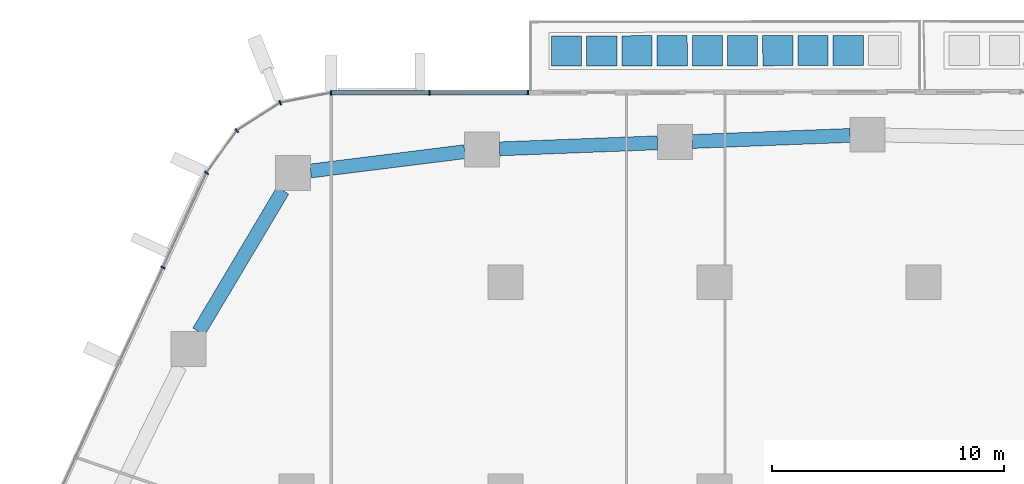
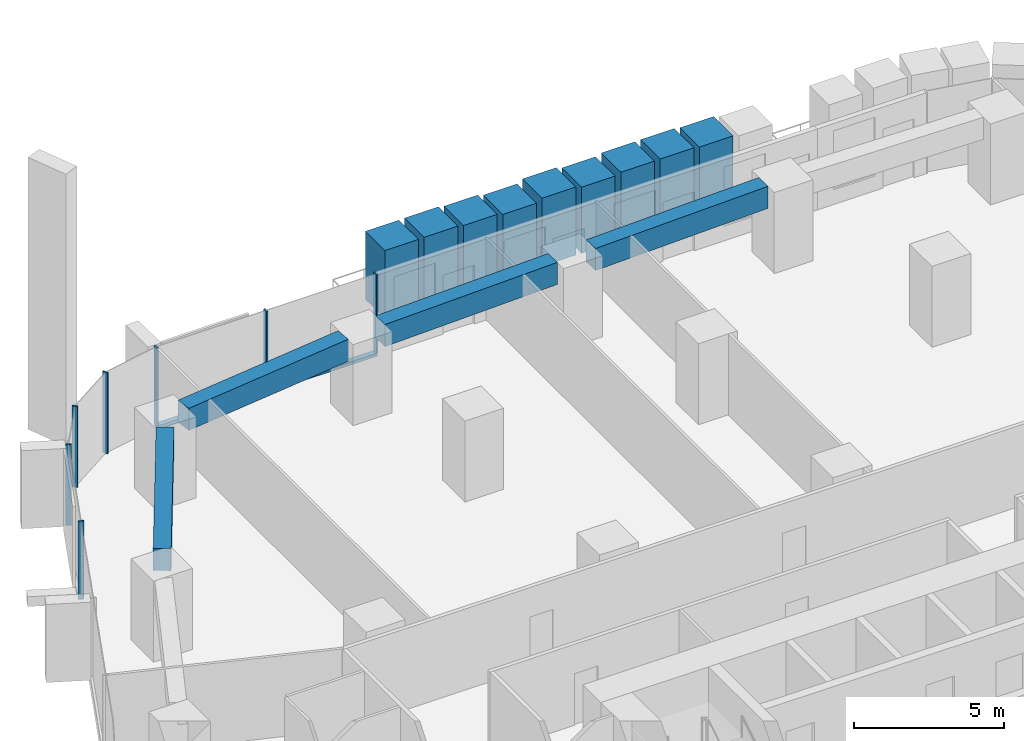
# One storey, part 9 of 26: 17 members, 4 beams, 3 elements without a shape of their own.
"""IFC4 building model written with IfcOpenShell, lengths in metres."""

from ifc_helpers import new_model, si_unit, direction, frame, origin, origin_2d, place, context, subcontext, project, spatial, rectangle, extrude, material, layer, layer_set, material_profile, profile_set, type_object, element, aggregate, save


model = new_model("IFC4")

# Units and contexts
model_context = context("Model", 3, precision=1e-05, world=origin(), true_north=direction((0.0, 1.0)))
body_context = subcontext(model_context, "Body", "Model", "MODEL_VIEW")
ifc_project = project(units=[si_unit("LENGTHUNIT", "METRE"), si_unit("AREAUNIT", "SQUARE_METRE"), si_unit("VOLUMEUNIT", "CUBIC_METRE"), si_unit("PLANEANGLEUNIT", "RADIAN"), si_unit("MASSUNIT", "GRAM", prefix="KILO")], contexts=[model_context])

# Site, building, storey
site_placement = place(None, origin())
site = spatial("IfcSite", under=ifc_project, at=site_placement, CompositionType="ELEMENT")
building_placement = place(site_placement, origin())
building = spatial("IfcBuilding", under=site, at=building_placement, Name="Dongbaek Canopy Tower", CompositionType="ELEMENT")
storey_placement = place(building_placement, frame((0.0, 0.0, 66.199951171875)))
storey = spatial("IfcBuildingStorey", under=building, at=storey_placement, Name="L12", CompositionType="ELEMENT", Elevation=66.199951171875)

# Curtain wall, members
ifc_material_1 = material(Name="Aluminium 6063-T6 pale anodised", Category="aluminium")
ifc_layer = layer(ifc_material_1, 0.199951171875)
ifc_layer_set = layer_set([ifc_layer], Name="CW-1 unitised tower curtain wall")
curtain_wall_type = type_object("IfcCurtainWallType", Name="CW-1 unitised tower curtain wall", PredefinedType="NOTDEFINED", material=ifc_layer_set)
curtain_wall_1_placement = place(storey_placement, origin())
curtain_wall_1 = element("IfcCurtainWall", 1, at=curtain_wall_1_placement, inside=storey, type_object=curtain_wall_type, Name="CW-1 curtain wall F1.1", PredefinedType="NOTDEFINED")
ifc_material_2 = material(Name="Aluminium 6063-T6 pale anodised", Category="aluminium")
ifc_material_profile_1 = material_profile(ifc_material_2, rectangle(XDim=0.199951171875, YDim=0.06005859375, at=origin_2d()), Name="CW-1 mullion 60 x 200")
ifc_profile_set_1 = profile_set([ifc_material_profile_1], Name="Aluminium 6063-T6 pale anodised")
member_type_1 = type_object("IfcMemberType", Name="CW-1 mullion 60 x 200", PredefinedType="MULLION", material=ifc_profile_set_1)
member_1_placement = place(storey_placement, frame((-8.030029296875, 35.165283203125, 0.1201171875), z_axis=(0.0, 0.0, 1.0), x_axis=(-0.00143427852, 0.999998971422, 0.0)))
member_1 = element("IfcMember", 2, at=member_1_placement, type_object=member_type_1, Name="CW-1 mullion F1.1.1", PredefinedType="MULLION", context=body_context, shape_type="SweptSolid", body=[
    extrude(rectangle(XDim=0.199951171875, YDim=0.06005859375, at=origin_2d()), origin(), (0.0, 0.0, 1.0), 3.179931640625),
])
member_2_placement = place(storey_placement, frame((-12.271240234375, 35.1591796875, 0.1201171875), z_axis=(0.0, 0.0, 1.0), x_axis=(-0.00143427852, 0.999998971422, 0.0)))
member_2 = element("IfcMember", 3, at=member_2_placement, type_object=member_type_1, Name="CW-1 mullion F1.1.2", PredefinedType="MULLION", context=body_context, shape_type="SweptSolid", body=[
    extrude(rectangle(XDim=0.199951171875, YDim=0.06005859375, at=origin_2d()), origin(), (0.0, 0.0, 1.0), 3.179931640625),
])
member_3_placement = place(storey_placement, frame((-16.5029296875, 35.153076171875, 0.1201171875), z_axis=(0.0, 0.0, 1.0), x_axis=(-0.00143427852, 0.999998971422, 0.0)))
member_3 = element("IfcMember", 4, at=member_3_placement, type_object=member_type_1, Name="CW-1 mullion F1.1.3", PredefinedType="MULLION", context=body_context, shape_type="SweptSolid", body=[
    extrude(rectangle(XDim=0.199951171875, YDim=0.06005859375, at=origin_2d()), origin(), (0.0, 0.0, 1.0), 3.179931640625),
])

curtain_wall_2_placement = place(storey_placement, origin())
curtain_wall_2 = element("IfcCurtainWall", 5, at=curtain_wall_2_placement, inside=storey, type_object=curtain_wall_type, Name="CW-1 curtain wall K2.1", PredefinedType="NOTDEFINED")
member_4_placement = place(storey_placement, frame((-18.696044921875, 34.728759765625, 0.0), z_axis=(0.0, 0.0, 1.0), x_axis=(-0.371661770672, 0.928368207244, 0.0)))
member_4 = element("IfcMember", 6, at=member_4_placement, type_object=member_type_1, Name="CW-1 mullion K2.1.2", PredefinedType="MULLION", context=body_context, shape_type="SweptSolid", body=[
    extrude(rectangle(XDim=0.199951171875, YDim=0.06005859375, at=origin_2d()), origin(), (0.0, 0.0, 1.0), 3.300048828125),
])
member_5_placement = place(storey_placement, frame((-20.56787109375, 33.52783203125, 0.0), z_axis=(0.0, 0.0, 1.0), x_axis=(-0.689039196048, 0.724724075983, 0.0)))
member_5 = element("IfcMember", 7, at=member_5_placement, type_object=member_type_1, Name="CW-1 mullion K2.1.3", PredefinedType="MULLION", context=body_context, shape_type="SweptSolid", body=[
    extrude(rectangle(XDim=0.199951171875, YDim=0.06005859375, at=origin_2d()), origin(), (0.0, 0.0, 1.0), 3.300048828125),
])
member_6_placement = place(storey_placement, frame((-21.86767578125, 31.7109375, 0.0), z_axis=(0.0, 0.0, 1.0), x_axis=(-0.813325049463, 0.581809559836, 0.0)))
member_6 = element("IfcMember", 8, at=member_6_placement, type_object=member_type_1, Name="CW-1 mullion K2.1.4", PredefinedType="MULLION", context=body_context, shape_type="SweptSolid", body=[
    extrude(rectangle(XDim=0.199951171875, YDim=0.06005859375, at=origin_2d()), origin(), (0.0, 0.0, 1.0), 3.300048828125),
])
aggregate(curtain_wall_2, [member_4, member_5, member_6])

# Curtain wall, member
curtain_wall_3_placement = place(storey_placement, origin())
curtain_wall_3 = element("IfcCurtainWall", 9, at=curtain_wall_3_placement, inside=storey, type_object=curtain_wall_type, Name="CW-1 curtain wall F2.1", PredefinedType="NOTDEFINED")
member_7_placement = place(storey_placement, frame((-23.743408203125, 27.634765625, 0.1201171875), z_axis=(0.0, 0.0, 1.0), x_axis=(-0.908435687115, 0.418024643264, 0.0)))
member_7 = element("IfcMember", 10, at=member_7_placement, type_object=member_type_1, Name="CW-1 mullion F2.1.2", PredefinedType="MULLION", context=body_context, shape_type="SweptSolid", body=[
    extrude(rectangle(XDim=0.199951171875, YDim=0.06005859375, at=origin_2d()), origin(), (0.0, 0.0, 1.0), 3.179931640625),
])
aggregate(curtain_wall_3, [member_7])

# Member
ifc_material_3 = material(Name="Aluminium 6063-T6 pale anodised", Category="aluminium")
ifc_material_profile_2 = material_profile(ifc_material_3, rectangle(XDim=0.199951171875, YDim=0.1201171875, at=origin_2d()), Name="CW-1 transom 120 x 200")
ifc_profile_set_2 = profile_set([ifc_material_profile_2], Name="Aluminium 6063-T6 pale anodised")
member_type_2 = type_object("IfcMemberType", Name="CW-1 transom 120 x 200", PredefinedType="USERDEFINED", material=ifc_profile_set_2)
member_8_placement = place(storey_placement, frame((-8.030029296875, 35.165283203125, 0.06005859375), z_axis=(-0.999998962172, -0.001440713099, 0.0), x_axis=(0.001440713099, -0.999998962172, 0.0)))
member_8 = element("IfcMember", 11, at=member_8_placement, type_object=member_type_2, Name="CW-1 transom F1.1.1", ObjectType="TRANSOM", PredefinedType="USERDEFINED", context=body_context, shape_type="SweptSolid", body=[
    extrude(rectangle(XDim=0.199951171875, YDim=0.1201171875, at=origin_2d()), origin(), (0.0, 0.0, 1.0), 8.472900390625),
])

aggregate(curtain_wall_1, [member_1, member_2, member_3, member_8])

# Beams
ifc_material_4 = material(Name="Concrete C80", Category="concrete")
ifc_material_profile_3 = material_profile(ifc_material_4, rectangle(XDim=0.60009765625, YDim=0.89990234375, at=origin_2d()), Name="RC EDGE BEAM 600x900 C80")
ifc_profile_set_3 = profile_set([ifc_material_profile_3], Name="Concrete C80")
beam_type = type_object("IfcBeamType", Name="RC EDGE BEAM 600x900 C80", PredefinedType="BEAM", material=ifc_profile_set_3)
beam_1_placement = place(storey_placement, frame((-22.201416015625, 24.875, 2.85009765625), z_axis=(0.511536684445, 0.859261438951, 0.0), x_axis=(-0.859261438951, 0.511536684445, 0.0)))
element("IfcBeam", 12, at=beam_1_placement, inside=storey, type_object=beam_type, Name="EDGEBEAM:L12:12", PredefinedType="BEAM", context=body_context, shape_type="SweptSolid", body=[
    extrude(rectangle(XDim=0.60009765625, YDim=0.89990234375, at=origin_2d()), origin(), (0.0, 0.0, 1.0), 7.06884765625),
])
beam_2_placement = place(storey_placement, frame((-17.388916015625, 31.79248046875, 2.85009765625), z_axis=(0.992300337098, 0.123854919137, 0.0), x_axis=(-0.123854919137, 0.992300337098, 0.0)))
element("IfcBeam", 13, at=beam_2_placement, inside=storey, type_object=beam_type, Name="EDGEBEAM:L12:13", PredefinedType="BEAM", context=body_context, shape_type="SweptSolid", body=[
    extrude(rectangle(XDim=0.60009765625, YDim=0.89990234375, at=origin_2d()), origin(), (0.0, 0.0, 1.0), 6.684326171875),
])
beam_3_placement = place(storey_placement, frame((-9.256103515625, 32.74267578125, 2.85009765625), z_axis=(0.999265250645, 0.038326999019, 0.0), x_axis=(-0.038326999019, 0.999265250645, 0.0)))
element("IfcBeam", 14, at=beam_3_placement, inside=storey, type_object=beam_type, Name="EDGEBEAM:L12:14", PredefinedType="BEAM", context=body_context, shape_type="SweptSolid", body=[
    extrude(rectangle(XDim=0.60009765625, YDim=0.89990234375, at=origin_2d()), origin(), (0.0, 0.0, 1.0), 6.802978515625),
])
beam_4_placement = place(storey_placement, frame((-0.9580078125, 33.060791015625, 2.85009765625), z_axis=(0.99927189778, 0.038153300073, 0.0), x_axis=(-0.038153300073, 0.99927189778, 0.0)))
element("IfcBeam", 15, at=beam_4_placement, inside=storey, type_object=beam_type, Name="EDGEBEAM:L12:15", PredefinedType="BEAM", context=body_context, shape_type="SweptSolid", body=[
    extrude(rectangle(XDim=0.60009765625, YDim=0.89990234375, at=origin_2d()), origin(), (0.0, 0.0, 1.0), 6.802001953125),
])

# Members
ifc_material_5 = material(Name="Concrete C40/50 planter mass with planting", Category="concrete")
ifc_material_profile_4 = material_profile(ifc_material_5, rectangle(XDim=1.300048828125, YDim=1.300048828125, at=origin_2d()), Name="Terrace PLANTER shrub mass 1300 x 1300")
ifc_profile_set_4 = profile_set([ifc_material_profile_4], Name="Concrete C40/50 planter mass with planting")
member_type_3 = type_object("IfcMemberType", Name="Terrace PLANTER shrub mass 1300 x 1300", PredefinedType="USERDEFINED", material=ifc_profile_set_4)
member_9_placement = place(storey_placement, frame((5.757080078125, 36.97509765625, 0.420166015625), z_axis=(0.0, 0.0, 1.0), x_axis=(-0.00143427852, 0.999998971422, 0.0)))
element("IfcMember", 16, at=member_9_placement, inside=storey, type_object=member_type_3, Name="Planter shrubs L12 2.2", ObjectType="PLANTER", PredefinedType="USERDEFINED", context=body_context, shape_type="SweptSolid", body=[
    extrude(rectangle(XDim=1.300048828125, YDim=1.300048828125, at=origin_2d()), origin(), (0.0, 0.0, 1.0), 2.72998046875),
])
member_10_placement = place(storey_placement, frame((4.24072265625, 36.972900390625, 0.420166015625), z_axis=(0.0, 0.0, 1.0), x_axis=(-0.00143427852, 0.999998971422, 0.0)))
element("IfcMember", 17, at=member_10_placement, inside=storey, type_object=member_type_3, Name="Planter shrubs L12 2.3", ObjectType="PLANTER", PredefinedType="USERDEFINED", context=body_context, shape_type="SweptSolid", body=[
    extrude(rectangle(XDim=1.300048828125, YDim=1.300048828125, at=origin_2d()), origin(), (0.0, 0.0, 1.0), 2.77978515625),
])
member_11_placement = place(storey_placement, frame((2.72412109375, 36.970703125, 0.420166015625), z_axis=(0.0, 0.0, 1.0), x_axis=(-0.00143427852, 0.999998971422, 0.0)))
element("IfcMember", 18, at=member_11_placement, inside=storey, type_object=member_type_3, Name="Planter shrubs L12 2.4", ObjectType="PLANTER", PredefinedType="USERDEFINED", context=body_context, shape_type="SweptSolid", body=[
    extrude(rectangle(XDim=1.300048828125, YDim=1.300048828125, at=origin_2d()), origin(), (0.0, 0.0, 1.0), 2.769775390625),
])
member_12_placement = place(storey_placement, frame((1.207763671875, 36.968505859375, 0.420166015625), z_axis=(0.0, 0.0, 1.0), x_axis=(-0.00143427852, 0.999998971422, 0.0)))
element("IfcMember", 19, at=member_12_placement, inside=storey, type_object=member_type_3, Name="Planter shrubs L12 2.5", ObjectType="PLANTER", PredefinedType="USERDEFINED", context=body_context, shape_type="SweptSolid", body=[
    extrude(rectangle(XDim=1.300048828125, YDim=1.300048828125, at=origin_2d()), origin(), (0.0, 0.0, 1.0), 2.68994140625),
])
member_13_placement = place(storey_placement, frame((-0.30859375, 36.96630859375, 0.420166015625), z_axis=(0.0, 0.0, 1.0), x_axis=(-0.00143427852, 0.999998971422, 0.0)))
element("IfcMember", 20, at=member_13_placement, inside=storey, type_object=member_type_3, Name="Planter shrubs L12 2.6", ObjectType="PLANTER", PredefinedType="USERDEFINED", context=body_context, shape_type="SweptSolid", body=[
    extrude(rectangle(XDim=1.300048828125, YDim=1.300048828125, at=origin_2d()), origin(), (0.0, 0.0, 1.0), 2.77978515625),
])
member_14_placement = place(storey_placement, frame((-1.8251953125, 36.96435546875, 0.420166015625), z_axis=(0.0, 0.0, 1.0), x_axis=(-0.00143427852, 0.999998971422, 0.0)))
element("IfcMember", 21, at=member_14_placement, inside=storey, type_object=member_type_3, Name="Planter shrubs L12 2.7", ObjectType="PLANTER", PredefinedType="USERDEFINED", context=body_context, shape_type="SweptSolid", body=[
    extrude(rectangle(XDim=1.300048828125, YDim=1.300048828125, at=origin_2d()), origin(), (0.0, 0.0, 1.0), 2.64990234375),
])
member_15_placement = place(storey_placement, frame((-3.341552734375, 36.962158203125, 0.420166015625), z_axis=(0.0, 0.0, 1.0), x_axis=(-0.00143427852, 0.999998971422, 0.0)))
element("IfcMember", 22, at=member_15_placement, inside=storey, type_object=member_type_3, Name="Planter shrubs L12 2.8", ObjectType="PLANTER", PredefinedType="USERDEFINED", context=body_context, shape_type="SweptSolid", body=[
    extrude(rectangle(XDim=1.300048828125, YDim=1.300048828125, at=origin_2d()), origin(), (0.0, 0.0, 1.0), 2.72998046875),
])
member_16_placement = place(storey_placement, frame((-4.85791015625, 36.9599609375, 0.420166015625), z_axis=(0.0, 0.0, 1.0), x_axis=(-0.00143427852, 0.999998971422, 0.0)))
element("IfcMember", 23, at=member_16_placement, inside=storey, type_object=member_type_3, Name="Planter shrubs L12 2.9", ObjectType="PLANTER", PredefinedType="USERDEFINED", context=body_context, shape_type="SweptSolid", body=[
    extrude(rectangle(XDim=1.300048828125, YDim=1.300048828125, at=origin_2d()), origin(), (0.0, 0.0, 1.0), 2.77978515625),
])
member_17_placement = place(storey_placement, frame((-6.37451171875, 36.957763671875, 0.420166015625), z_axis=(0.0, 0.0, 1.0), x_axis=(-0.00143427852, 0.999998971422, 0.0)))
element("IfcMember", 24, at=member_17_placement, inside=storey, type_object=member_type_3, Name="Planter shrubs L12 2.10", ObjectType="PLANTER", PredefinedType="USERDEFINED", context=body_context, shape_type="SweptSolid", body=[
    extrude(rectangle(XDim=1.300048828125, YDim=1.300048828125, at=origin_2d()), origin(), (0.0, 0.0, 1.0), 2.769775390625),
])

save(model, "model.ifc")
